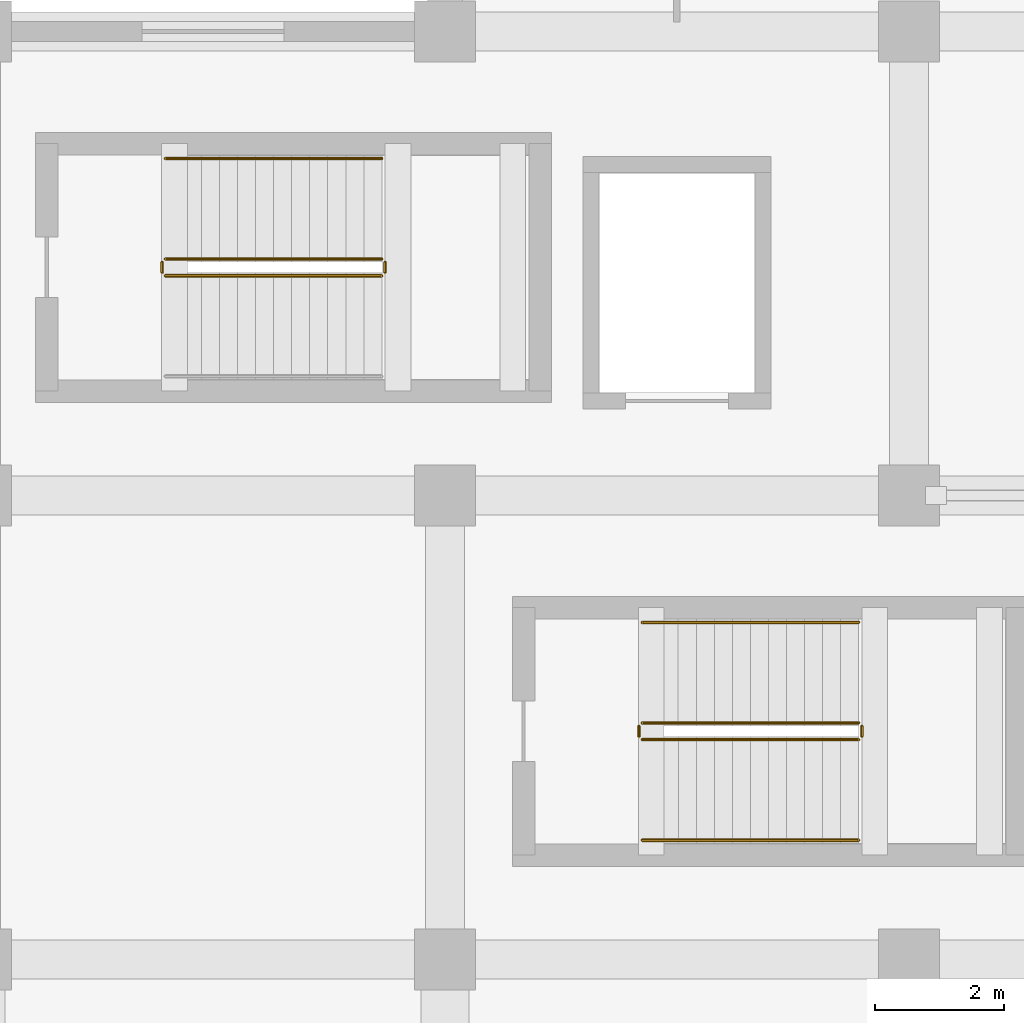
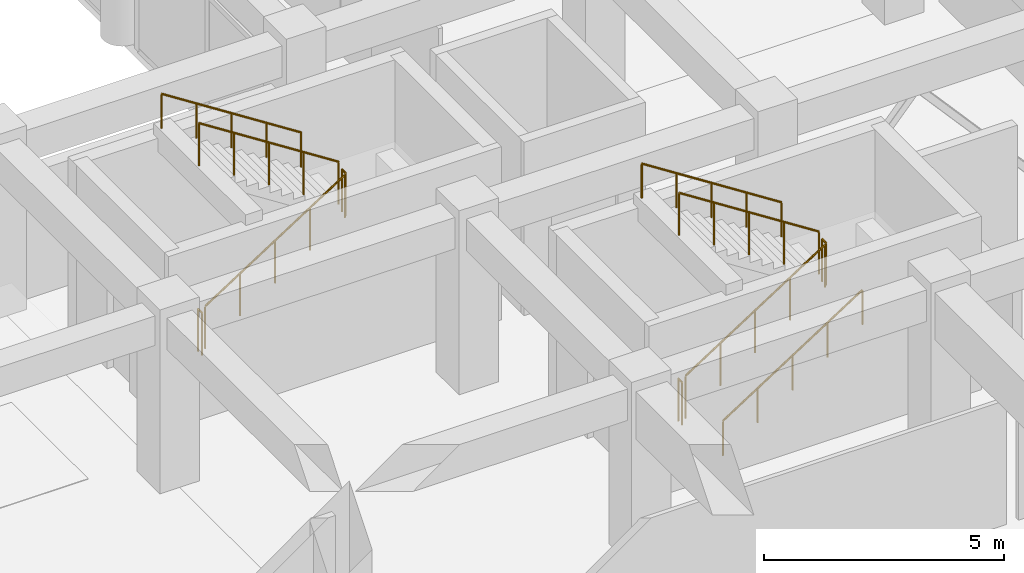
# One storey, part 49 of 54: 11 railings.
"""IFC4 building model written with IfcOpenShell, lengths in metres."""

from ifc_helpers import new_model, si_unit, direction, frame, origin, origin_2d, place, context, subcontext, project, spatial, circle, extrude, material, type_object, element, save


model = new_model("IFC4")

# Units and contexts
model_context = context("Model", 3, precision=1e-05, world=origin(), true_north=direction((0.0, 1.0)))
body_context = subcontext(model_context, "Body", "Model", "MODEL_VIEW")
ifc_project = project(units=[si_unit("LENGTHUNIT", "METRE"), si_unit("AREAUNIT", "SQUARE_METRE"), si_unit("VOLUMEUNIT", "CUBIC_METRE"), si_unit("PLANEANGLEUNIT", "RADIAN"), si_unit("MASSUNIT", "GRAM", prefix="KILO")], contexts=[model_context])

# Site, building, storey
site_placement = place(None, origin())
site = spatial("IfcSite", under=ifc_project, at=site_placement, CompositionType="ELEMENT")
building_placement = place(site_placement, origin())
building = spatial("IfcBuilding", under=site, at=building_placement, Name="Kazehaya Institute of Natural Sciences", CompositionType="ELEMENT")
storey_placement = place(building_placement, frame((0.0, 0.0, 10.43994140625)))
storey = spatial("IfcBuildingStorey", under=building, at=storey_placement, Name="L02", CompositionType="ELEMENT", Elevation=10.43994140625)

# Railings
ifc_material_1 = material(Name="Structural steel SN490B", Category="steel")
railing_type_1 = type_object("IfcRailingType", Name="RL-STAIR-GRD", PredefinedType="GUARDRAIL", material=ifc_material_1)
railing_1_placement = place(storey_placement, frame((64.860107421875, 24.610107421875, 0.18017578125)))
element("IfcRailing", 1, at=railing_1_placement, inside=storey, type_object=railing_type_1, Name="L02 ST-1 stair guard 1", PredefinedType="GUARDRAIL", context=body_context, shape_type="SweptSolid", body=[
    extrude(circle(Radius=0.02392578125, at=origin_2d()), frame((0.0, 0.0, 1.076171875), z_axis=(0.841178475377, 0.0, 0.540757591313), x_axis=(0.0, 1.0, 0.0)), (0.0, 0.0, 1.0), 3.994140625),
    extrude(circle(Radius=0.02099609375, at=origin_2d()), origin(), (0.0, 0.0, 1.0), 1.052001953125),
    extrude(circle(Radius=0.02099609375, at=origin_2d()), frame((0.83984375, 0.0, 0.5400390625)), (0.0, 0.0, 1.0), 1.052001953125),
    extrude(circle(Radius=0.02099609375, at=origin_2d()), frame((1.679931640625, 0.0, 1.080078125)), (0.0, 0.0, 1.0), 1.052001953125),
    extrude(circle(Radius=0.02099609375, at=origin_2d()), frame((2.52001953125, 0.0, 1.619873046875)), (0.0, 0.0, 1.0), 1.052001953125),
    extrude(circle(Radius=0.02099609375, at=origin_2d()), frame((3.35986328125, 0.0, 2.159912109375)), (0.0, 0.0, 1.0), 1.052001953125),
])
railing_2_placement = place(storey_placement, frame((68.27001953125, 24.659912109375, 2.340087890625)))
element("IfcRailing", 2, at=railing_2_placement, inside=storey, type_object=railing_type_1, Name="L02 ST-1 stair guard 2", PredefinedType="GUARDRAIL", context=body_context, shape_type="SweptSolid", body=[
    extrude(circle(Radius=0.02392578125, at=origin_2d()), frame((0.0, 0.0, 1.076171875), z_axis=(0.0, 1.0, 0.0), x_axis=(-1.0, 0.0, 0.0)), (0.0, 0.0, 1.0), 0.16015625),
    extrude(circle(Radius=0.02099609375, at=origin_2d()), origin(), (0.0, 0.0, 1.0), 1.052001953125),
    extrude(circle(Radius=0.02099609375, at=origin_2d()), frame((0.0, 0.16015625, 0.0)), (0.0, 0.0, 1.0), 1.052001953125),
])
railing_3_placement = place(storey_placement, frame((68.219970703125, 24.8701171875, 2.52001953125)))
element("IfcRailing", 3, at=railing_3_placement, inside=storey, type_object=railing_type_1, Name="L02 ST-1 stair guard 3", PredefinedType="GUARDRAIL", context=body_context, shape_type="SweptSolid", body=[
    extrude(circle(Radius=0.02392578125, at=origin_2d()), frame((0.0, 0.0, 1.076171875), z_axis=(-0.841150671818, 0.0, 0.540800838849), x_axis=(0.0, -1.0, 0.0)), (0.0, 0.0, 1.0), 3.994384765625),
    extrude(circle(Radius=0.02099609375, at=origin_2d()), origin(), (0.0, 0.0, 1.0), 1.052001953125),
    extrude(circle(Radius=0.02099609375, at=origin_2d()), frame((-0.83984375, 0.0, 0.5400390625)), (0.0, 0.0, 1.0), 1.052001953125),
    extrude(circle(Radius=0.02099609375, at=origin_2d()), frame((-1.679931640625, 0.0, 1.080078125)), (0.0, 0.0, 1.0), 1.052001953125),
    extrude(circle(Radius=0.02099609375, at=origin_2d()), frame((-2.52001953125, 0.0, 1.6201171875)), (0.0, 0.0, 1.0), 1.052001953125),
    extrude(circle(Radius=0.02099609375, at=origin_2d()), frame((-3.35986328125, 0.0, 2.16015625)), (0.0, 0.0, 1.0), 1.052001953125),
])
railing_4_placement = place(storey_placement, frame((64.81005859375, 24.659912109375, 0.0)))
element("IfcRailing", 4, at=railing_4_placement, inside=storey, type_object=railing_type_1, Name="L02 ST-1 stair guard 4", PredefinedType="GUARDRAIL", context=body_context, shape_type="SweptSolid", body=[
    extrude(circle(Radius=0.02392578125, at=origin_2d()), frame((0.0, 0.0, 1.076171875), z_axis=(0.0, 1.0, 0.0), x_axis=(-1.0, 0.0, 0.0)), (0.0, 0.0, 1.0), 0.16015625),
    extrude(circle(Radius=0.02099609375, at=origin_2d()), origin(), (0.0, 0.0, 1.0), 1.052001953125),
    extrude(circle(Radius=0.02099609375, at=origin_2d()), frame((0.0, 0.16015625, 0.0)), (0.0, 0.0, 1.0), 1.052001953125),
])
railing_5_placement = place(storey_placement, frame((57.4599609375, 31.81005859375, 0.18017578125)))
element("IfcRailing", 5, at=railing_5_placement, inside=storey, type_object=railing_type_1, Name="L02 ST-4 stair guard 1", PredefinedType="GUARDRAIL", context=body_context, shape_type="SweptSolid", body=[
    extrude(circle(Radius=0.02392578125, at=origin_2d()), frame((0.0, 0.0, 1.076171875), z_axis=(0.84119634759, 0.0, 0.540729789082), x_axis=(0.0, 1.0, 0.0)), (0.0, 0.0, 1.0), 3.994384765625),
    extrude(circle(Radius=0.02099609375, at=origin_2d()), origin(), (0.0, 0.0, 1.0), 1.052001953125),
    extrude(circle(Radius=0.02099609375, at=origin_2d()), frame((0.840087890625, 0.0, 0.5400390625)), (0.0, 0.0, 1.0), 1.052001953125),
    extrude(circle(Radius=0.02099609375, at=origin_2d()), frame((1.68017578125, 0.0, 1.080078125)), (0.0, 0.0, 1.0), 1.052001953125),
    extrude(circle(Radius=0.02099609375, at=origin_2d()), frame((2.52001953125, 0.0, 1.619873046875)), (0.0, 0.0, 1.0), 1.052001953125),
    extrude(circle(Radius=0.02099609375, at=origin_2d()), frame((3.360107421875, 0.0, 2.159912109375)), (0.0, 0.0, 1.0), 1.052001953125),
])
railing_6_placement = place(storey_placement, frame((60.8701171875, 31.860107421875, 2.340087890625)))
element("IfcRailing", 6, at=railing_6_placement, inside=storey, type_object=railing_type_1, Name="L02 ST-4 stair guard 2", PredefinedType="GUARDRAIL", context=body_context, shape_type="SweptSolid", body=[
    extrude(circle(Radius=0.02392578125, at=origin_2d()), frame((0.0, 0.0, 1.076171875), z_axis=(0.0, 1.0, 0.0), x_axis=(-1.0, 0.0, 0.0)), (0.0, 0.0, 1.0), 0.159912109375),
    extrude(circle(Radius=0.02099609375, at=origin_2d()), origin(), (0.0, 0.0, 1.0), 1.052001953125),
    extrude(circle(Radius=0.02099609375, at=origin_2d()), frame((0.0, 0.159912109375, 0.0)), (0.0, 0.0, 1.0), 1.052001953125),
])
railing_7_placement = place(storey_placement, frame((60.820068359375, 32.070068359375, 2.52001953125)))
element("IfcRailing", 7, at=railing_7_placement, inside=storey, type_object=railing_type_1, Name="L02 ST-4 stair guard 3", PredefinedType="GUARDRAIL", context=body_context, shape_type="SweptSolid", body=[
    extrude(circle(Radius=0.02392578125, at=origin_2d()), frame((0.0, 0.0, 1.076171875), z_axis=(-0.8411685463, 0.0, 0.540773036232), x_axis=(0.0, -1.0, 0.0)), (0.0, 0.0, 1.0), 3.99462890625),
    extrude(circle(Radius=0.02099609375, at=origin_2d()), origin(), (0.0, 0.0, 1.0), 1.052001953125),
    extrude(circle(Radius=0.02099609375, at=origin_2d()), frame((-0.840087890625, 0.0, 0.5400390625)), (0.0, 0.0, 1.0), 1.052001953125),
    extrude(circle(Radius=0.02099609375, at=origin_2d()), frame((-1.68017578125, 0.0, 1.080078125)), (0.0, 0.0, 1.0), 1.052001953125),
    extrude(circle(Radius=0.02099609375, at=origin_2d()), frame((-2.52001953125, 0.0, 1.6201171875)), (0.0, 0.0, 1.0), 1.052001953125),
    extrude(circle(Radius=0.02099609375, at=origin_2d()), frame((-3.360107421875, 0.0, 2.16015625)), (0.0, 0.0, 1.0), 1.052001953125),
])
railing_8_placement = place(storey_placement, frame((57.409912109375, 31.860107421875, 0.0)))
element("IfcRailing", 8, at=railing_8_placement, inside=storey, type_object=railing_type_1, Name="L02 ST-4 stair guard 4", PredefinedType="GUARDRAIL", context=body_context, shape_type="SweptSolid", body=[
    extrude(circle(Radius=0.02392578125, at=origin_2d()), frame((0.0, 0.0, 1.076171875), z_axis=(0.0, 1.0, 0.0), x_axis=(-1.0, 0.0, 0.0)), (0.0, 0.0, 1.0), 0.159912109375),
    extrude(circle(Radius=0.02099609375, at=origin_2d()), origin(), (0.0, 0.0, 1.0), 1.052001953125),
    extrude(circle(Radius=0.02099609375, at=origin_2d()), frame((0.0, 0.159912109375, 0.0)), (0.0, 0.0, 1.0), 1.052001953125),
])
ifc_material_2 = material(Name="Brushed stainless steel handrail", Category="steel")
railing_type_2 = type_object("IfcRailingType", Name="RL-STAIR-HND", PredefinedType="HANDRAIL", material=ifc_material_2)
railing_9_placement = place(storey_placement, frame((64.860107421875, 23.050048828125, 0.18017578125)))
element("IfcRailing", 9, at=railing_9_placement, inside=storey, type_object=railing_type_2, Name="L02 ST-1 stair handrail 1", PredefinedType="HANDRAIL", context=body_context, shape_type="SweptSolid", body=[
    extrude(circle(Radius=0.02392578125, at=origin_2d()), frame((0.0, 0.0, 0.8759765625), z_axis=(0.841178475377, 0.0, 0.540757591313), x_axis=(0.0, 1.0, 0.0)), (0.0, 0.0, 1.0), 3.994140625),
    extrude(circle(Radius=0.02099609375, at=origin_2d()), origin(), (0.0, 0.0, 1.0), 0.851806640625),
    extrude(circle(Radius=0.02099609375, at=origin_2d()), frame((0.83984375, 0.0, 0.5400390625)), (0.0, 0.0, 1.0), 0.851806640625),
    extrude(circle(Radius=0.02099609375, at=origin_2d()), frame((1.679931640625, 0.0, 1.080078125)), (0.0, 0.0, 1.0), 0.851806640625),
    extrude(circle(Radius=0.02099609375, at=origin_2d()), frame((2.52001953125, 0.0, 1.619873046875)), (0.0, 0.0, 1.0), 0.851806640625),
    extrude(circle(Radius=0.02099609375, at=origin_2d()), frame((3.35986328125, 0.0, 2.159912109375)), (0.0, 0.0, 1.0), 0.851806640625),
])
railing_10_placement = place(storey_placement, frame((68.219970703125, 26.429931640625, 2.52001953125)))
element("IfcRailing", 10, at=railing_10_placement, inside=storey, type_object=railing_type_2, Name="L02 ST-1 stair handrail 2", PredefinedType="HANDRAIL", context=body_context, shape_type="SweptSolid", body=[
    extrude(circle(Radius=0.02392578125, at=origin_2d()), frame((0.0, 0.0, 0.8759765625), z_axis=(-0.841150671818, 0.0, 0.540800838849), x_axis=(0.0, -1.0, 0.0)), (0.0, 0.0, 1.0), 3.994384765625),
    extrude(circle(Radius=0.02099609375, at=origin_2d()), origin(), (0.0, 0.0, 1.0), 0.851806640625),
    extrude(circle(Radius=0.02099609375, at=origin_2d()), frame((-0.83984375, 0.0, 0.5400390625)), (0.0, 0.0, 1.0), 0.851806640625),
    extrude(circle(Radius=0.02099609375, at=origin_2d()), frame((-1.679931640625, 0.0, 1.080078125)), (0.0, 0.0, 1.0), 0.851806640625),
    extrude(circle(Radius=0.02099609375, at=origin_2d()), frame((-2.52001953125, 0.0, 1.6201171875)), (0.0, 0.0, 1.0), 0.851806640625),
    extrude(circle(Radius=0.02099609375, at=origin_2d()), frame((-3.35986328125, 0.0, 2.16015625)), (0.0, 0.0, 1.0), 0.851806640625),
])
railing_11_placement = place(storey_placement, frame((60.820068359375, 33.6298828125, 2.52001953125)))
element("IfcRailing", 11, at=railing_11_placement, inside=storey, type_object=railing_type_2, Name="L02 ST-4 stair handrail 2", PredefinedType="HANDRAIL", context=body_context, shape_type="SweptSolid", body=[
    extrude(circle(Radius=0.02392578125, at=origin_2d()), frame((0.0, 0.0, 0.8759765625), z_axis=(-0.8411685463, 0.0, 0.540773036232), x_axis=(0.0, -1.0, 0.0)), (0.0, 0.0, 1.0), 3.99462890625),
    extrude(circle(Radius=0.02099609375, at=origin_2d()), origin(), (0.0, 0.0, 1.0), 0.851806640625),
    extrude(circle(Radius=0.02099609375, at=origin_2d()), frame((-0.840087890625, 0.0, 0.5400390625)), (0.0, 0.0, 1.0), 0.851806640625),
    extrude(circle(Radius=0.02099609375, at=origin_2d()), frame((-1.68017578125, 0.0, 1.080078125)), (0.0, 0.0, 1.0), 0.851806640625),
    extrude(circle(Radius=0.02099609375, at=origin_2d()), frame((-2.52001953125, 0.0, 1.6201171875)), (0.0, 0.0, 1.0), 0.851806640625),
    extrude(circle(Radius=0.02099609375, at=origin_2d()), frame((-3.360107421875, 0.0, 2.16015625)), (0.0, 0.0, 1.0), 0.851806640625),
])

save(model, "model.ifc")
